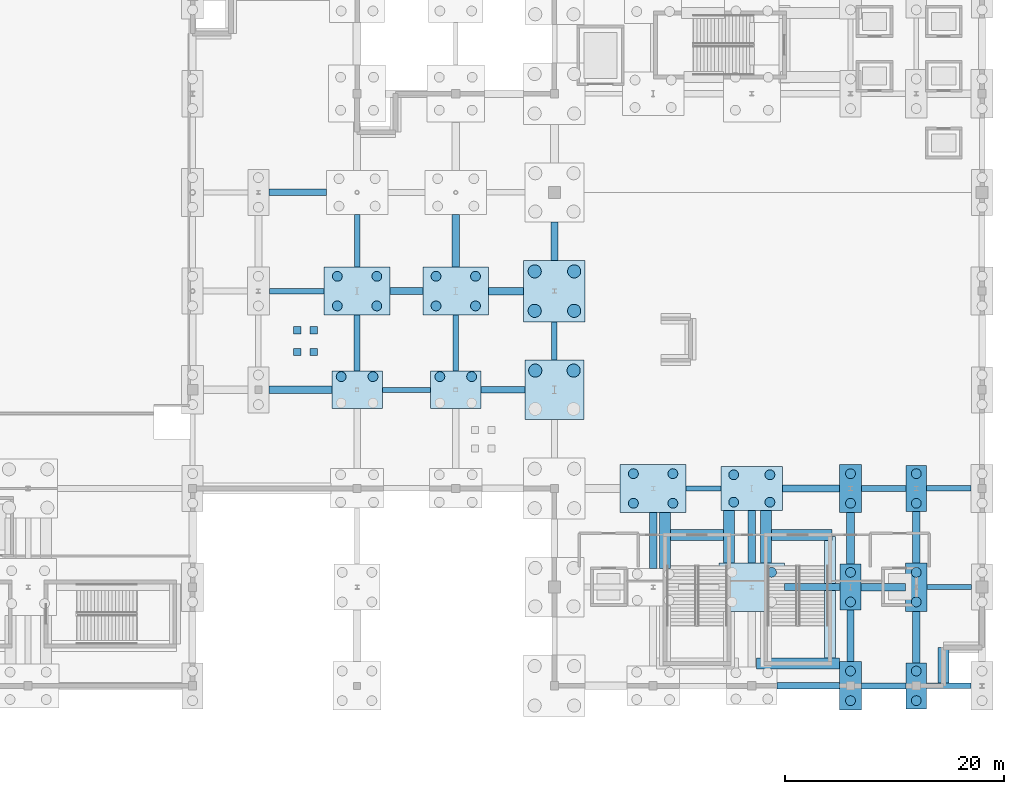
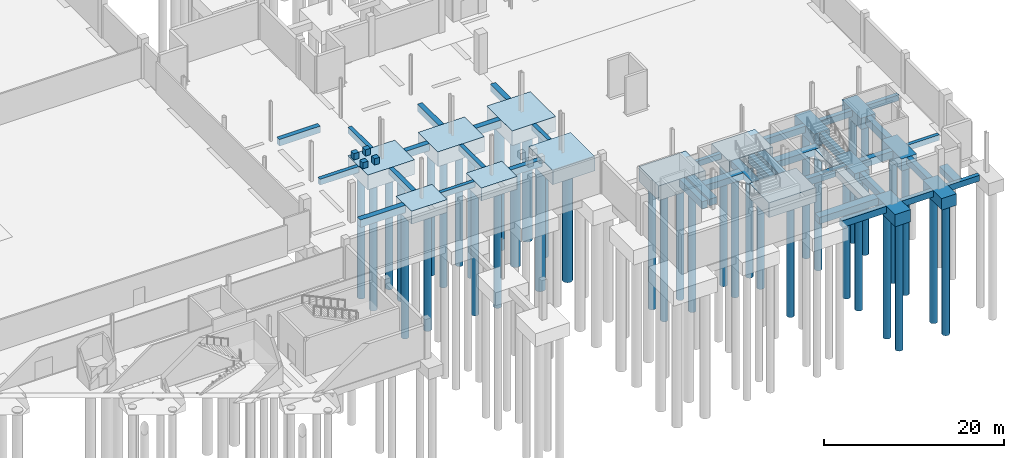
# One storey, part 6 of 58: 56 footings, 39 piles.
"""IFC4 building model written with IfcOpenShell, lengths in metres."""

from ifc_helpers import new_model, si_unit, direction, frame, origin, origin_2d, place, context, subcontext, project, spatial, rectangle, circle, extrude, material, material_profile, profile_set, type_object, element, save


model = new_model("IFC4")

# Units and contexts
model_context = context("Model", 3, precision=1e-05, world=origin(), true_north=direction((0.0, 1.0)))
body_context = subcontext(model_context, "Body", "Model", "MODEL_VIEW")
ifc_project = project(units=[si_unit("LENGTHUNIT", "METRE"), si_unit("AREAUNIT", "SQUARE_METRE"), si_unit("VOLUMEUNIT", "CUBIC_METRE"), si_unit("PLANEANGLEUNIT", "RADIAN"), si_unit("MASSUNIT", "GRAM", prefix="KILO")], contexts=[model_context])

# Site, building, storey
site_placement = place(None, origin())
site = spatial("IfcSite", under=ifc_project, at=site_placement, CompositionType="ELEMENT")
building_placement = place(site_placement, origin())
building = spatial("IfcBuilding", under=site, at=building_placement, Name="Qamarlyn Nura Convention Centre", CompositionType="ELEMENT")
storey_placement = place(building_placement, frame((0.0, 0.0, -5.39990234375)))
storey = spatial("IfcBuildingStorey", under=building, at=storey_placement, Name="B01", CompositionType="ELEMENT", Elevation=-5.39990234375)

# Footings
ifc_material = material(Name="Concrete C40/50", Category="concrete")
ifc_material_profile_1 = material_profile(ifc_material, rectangle(XDim=0.449951171875, YDim=0.75, at=origin_2d()), Name="RC GB 450x750")
ifc_profile_set_1 = profile_set([ifc_material_profile_1], Name="Concrete C40/50")
footing_type_1 = type_object("IfcFootingType", Name="GB-450X750", PredefinedType="FOOTING_BEAM", material=ifc_profile_set_1)
footing_1_placement = place(storey_placement, frame((187.0, 9.0, -0.375), z_axis=(1.0, 0.0, 0.0), x_axis=(0.0, 1.0, 0.0)))
element("IfcFooting", 1, at=footing_1_placement, inside=storey, type_object=footing_type_1, Name="Ground tie beam B 17-18", PredefinedType="FOOTING_BEAM", context=body_context, shape_type="SweptSolid", body=[
    extrude(rectangle(XDim=0.449951171875, YDim=0.75, at=origin_2d()), origin(), (0.0, 0.0, 1.0), 4.050048828125),
])
footing_2_placement = place(storey_placement, frame((165.0, 18.0, -0.375), z_axis=(1.0, 0.0, 0.0), x_axis=(0.0, 1.0, 0.0)))
element("IfcFooting", 2, at=footing_2_placement, inside=storey, type_object=footing_type_1, Name="Ground tie beam C 14-15", PredefinedType="FOOTING_BEAM", context=body_context, shape_type="SweptSolid", body=[
    extrude(rectangle(XDim=0.449951171875, YDim=0.75, at=origin_2d()), origin(), (0.0, 0.0, 1.0), 3.199951171875),
])
footing_3_placement = place(storey_placement, frame((137.300048828125, 27.0, -0.375), z_axis=(1.0, 0.0, 0.0), x_axis=(0.0, 1.0, 0.0)))
element("IfcFooting", 3, at=footing_3_placement, inside=storey, type_object=footing_type_1, Name="Ground tie beam D 11-12", PredefinedType="FOOTING_BEAM", context=body_context, shape_type="SweptSolid", body=[
    extrude(rectangle(XDim=0.449951171875, YDim=0.75, at=origin_2d()), origin(), (0.0, 0.0, 1.0), 4.39990234375),
])
ifc_material_profile_2 = material_profile(ifc_material, rectangle(XDim=0.5, YDim=0.800048828125, at=origin_2d()), Name="RC GB 500x800")
ifc_profile_set_2 = profile_set([ifc_material_profile_2], Name="Concrete C40/50")
footing_type_2 = type_object("IfcFootingType", Name="GB-500X800", PredefinedType="FOOTING_BEAM", material=ifc_profile_set_2)
for number, where, z_axis, x_axis, name in (
    (4, (186.949951171875, 0.0, -0.400146484375), (1.0, 0.0, 0.0), (0.0, 1.0, 0.0), "Ground tie beam A 17-18"),
    (5, (186.949951171875, 18.0, -0.400146484375), (1.0, 0.0, 0.0), (0.0, 1.0, 0.0), "Ground tie beam C 17-18"),
):
    element("IfcFooting", number, at=place(storey_placement, frame(where, z_axis=z_axis, x_axis=x_axis)), inside=storey, type_object=footing_type_2, Name=name, PredefinedType="FOOTING_BEAM", context=body_context, shape_type="SweptSolid", body=[
        extrude(rectangle(XDim=0.5, YDim=0.800048828125, at=origin_2d()), origin(), (0.0, 0.0, 1.0), 4.050048828125),
    ])
footing_4_placement = place(storey_placement, frame((127.0, 36.0, -0.400146484375), z_axis=(1.0, 0.0, 0.0), x_axis=(0.0, 1.0, 0.0)))
element("IfcFooting", 6, at=footing_4_placement, inside=storey, type_object=footing_type_2, Name="Ground tie beam E 10-11", PredefinedType="FOOTING_BEAM", context=body_context, shape_type="SweptSolid", body=[
    extrude(rectangle(XDim=0.5, YDim=0.800048828125, at=origin_2d()), origin(), (0.0, 0.0, 1.0), 5.0),
])
footing_5_placement = place(storey_placement, frame((135.0, 38.199951171875, -0.400146484375), z_axis=(0.0, 1.0, 0.0), x_axis=(-1.0, 0.0, 0.0)))
element("IfcFooting", 7, at=footing_5_placement, inside=storey, type_object=footing_type_2, Name="Ground tie beam 11 E-F", PredefinedType="FOOTING_BEAM", context=body_context, shape_type="SweptSolid", body=[
    extrude(rectangle(XDim=0.5, YDim=0.800048828125, at=origin_2d()), origin(), (0.0, 0.0, 1.0), 4.800048828125),
])
footing_6_placement = place(storey_placement, frame((144.0, 28.699951171875, -0.400146484375), z_axis=(0.0, 1.0, 0.0), x_axis=(-1.0, 0.0, 0.0)))
element("IfcFooting", 8, at=footing_6_placement, inside=storey, type_object=footing_type_2, Name="Ground tie beam 12 D-E", PredefinedType="FOOTING_BEAM", context=body_context, shape_type="SweptSolid", body=[
    extrude(rectangle(XDim=0.5, YDim=0.800048828125, at=origin_2d()), origin(), (0.0, 0.0, 1.0), 5.10009765625),
])
footing_7_placement = place(storey_placement, frame((153.0, 29.699951171875, -0.400146484375), z_axis=(0.0, 1.0, 0.0), x_axis=(-1.0, 0.0, 0.0)))
element("IfcFooting", 9, at=footing_7_placement, inside=storey, type_object=footing_type_2, Name="Ground tie beam 13 D-E", PredefinedType="FOOTING_BEAM", context=body_context, shape_type="SweptSolid", body=[
    extrude(rectangle(XDim=0.5, YDim=0.800048828125, at=origin_2d()), origin(), (0.0, 0.0, 1.0), 3.5),
])
ifc_material_profile_3 = material_profile(ifc_material, rectangle(XDim=0.550048828125, YDim=0.85009765625, at=origin_2d()), Name="RC GB 550x850")
ifc_profile_set_3 = profile_set([ifc_material_profile_3], Name="Concrete C40/50")
footing_type_3 = type_object("IfcFootingType", Name="GB-550X850", PredefinedType="FOOTING_BEAM", material=ifc_profile_set_3)
for number, where, z_axis, x_axis, name in (
    (10, (181.0, 0.0, -0.425048828125), (1.0, 0.0, 0.0), (0.0, 1.0, 0.0), "Ground tie beam A 16-17"),
    (11, (181.0, 18.0, -0.425048828125), (1.0, 0.0, 0.0), (0.0, 1.0, 0.0), "Ground tie beam C 16-17"),
):
    element("IfcFooting", number, at=place(storey_placement, frame(where, z_axis=z_axis, x_axis=x_axis)), inside=storey, type_object=footing_type_3, Name=name, PredefinedType="FOOTING_BEAM", context=body_context, shape_type="SweptSolid", body=[
        extrude(rectangle(XDim=0.550048828125, YDim=0.85009765625, at=origin_2d()), origin(), (0.0, 0.0, 1.0), 4.050048828125),
    ])
footing_8_placement = place(storey_placement, frame((135.0, 28.699951171875, -0.425048828125), z_axis=(0.0, 1.0, 0.0), x_axis=(-1.0, 0.0, 0.0)))
element("IfcFooting", 12, at=footing_8_placement, inside=storey, type_object=footing_type_3, Name="Ground tie beam 11 D-E", PredefinedType="FOOTING_BEAM", context=body_context, shape_type="SweptSolid", body=[
    extrude(rectangle(XDim=0.550048828125, YDim=0.85009765625, at=origin_2d()), origin(), (0.0, 0.0, 1.0), 5.10009765625),
])
ifc_material_profile_4 = material_profile(ifc_material, rectangle(XDim=0.60009765625, YDim=0.89990234375, at=origin_2d()), Name="RC GB 600x900")
ifc_profile_set_4 = profile_set([ifc_material_profile_4], Name="Concrete C40/50")
footing_type_4 = type_object("IfcFootingType", Name="GB-600X900", PredefinedType="FOOTING_BEAM", material=ifc_profile_set_4)
footing_9_placement = place(storey_placement, frame((173.300048828125, 0.0, -0.4501953125), z_axis=(1.0, 0.0, 0.0), x_axis=(0.0, 1.0, 0.0)))
element("IfcFooting", 13, at=footing_9_placement, inside=storey, type_object=footing_type_4, Name="Ground tie beam A 15-16", PredefinedType="FOOTING_BEAM", context=body_context, shape_type="SweptSolid", body=[
    extrude(rectangle(XDim=0.60009765625, YDim=0.89990234375, at=origin_2d()), origin(), (0.0, 0.0, 1.0), 5.699951171875),
])
footing_10_placement = place(storey_placement, frame((173.800048828125, 18.0, -0.4501953125), z_axis=(1.0, 0.0, 0.0), x_axis=(0.0, 1.0, 0.0)))
element("IfcFooting", 14, at=footing_10_placement, inside=storey, type_object=footing_type_4, Name="Ground tie beam C 15-16", PredefinedType="FOOTING_BEAM", context=body_context, shape_type="SweptSolid", body=[
    extrude(rectangle(XDim=0.60009765625, YDim=0.89990234375, at=origin_2d()), origin(), (0.0, 0.0, 1.0), 5.199951171875),
])
footing_11_placement = place(storey_placement, frame((146.300048828125, 27.0, -0.4501953125), z_axis=(1.0, 0.0, 0.0), x_axis=(0.0, 1.0, 0.0)))
element("IfcFooting", 15, at=footing_11_placement, inside=storey, type_object=footing_type_4, Name="Ground tie beam D 12-13", PredefinedType="FOOTING_BEAM", context=body_context, shape_type="SweptSolid", body=[
    extrude(rectangle(XDim=0.60009765625, YDim=0.89990234375, at=origin_2d()), origin(), (0.0, 0.0, 1.0), 4.0),
])
footing_12_placement = place(storey_placement, frame((126.949951171875, 45.0, -0.4501953125), z_axis=(1.0, 0.0, 0.0), x_axis=(0.0, 1.0, 0.0)))
element("IfcFooting", 16, at=footing_12_placement, inside=storey, type_object=footing_type_4, Name="Ground tie beam F 10-11", PredefinedType="FOOTING_BEAM", context=body_context, shape_type="SweptSolid", body=[
    extrude(rectangle(XDim=0.60009765625, YDim=0.89990234375, at=origin_2d()), origin(), (0.0, 0.0, 1.0), 5.25),
])
ifc_material_profile_5 = material_profile(ifc_material, rectangle(XDim=0.64990234375, YDim=0.949951171875, at=origin_2d()), Name="RC GB 650x950")
ifc_profile_set_5 = profile_set([ifc_material_profile_5], Name="Concrete C40/50")
footing_type_5 = type_object("IfcFootingType", Name="GB-650X950", PredefinedType="FOOTING_BEAM", material=ifc_profile_set_5)
footing_13_placement = place(storey_placement, frame((174.0, 9.0, -0.47509765625), z_axis=(1.0, 0.0, 0.0), x_axis=(0.0, 1.0, 0.0)))
element("IfcFooting", 17, at=footing_13_placement, inside=storey, type_object=footing_type_5, Name="Ground tie beam B 15-16", PredefinedType="FOOTING_BEAM", context=body_context, shape_type="SweptSolid", body=[
    extrude(rectangle(XDim=0.64990234375, YDim=0.949951171875, at=origin_2d()), origin(), (0.0, 0.0, 1.0), 5.050048828125),
])
footing_14_placement = place(storey_placement, frame((138.0, 36.0, -0.47509765625), z_axis=(1.0, 0.0, 0.0), x_axis=(0.0, 1.0, 0.0)))
element("IfcFooting", 18, at=footing_14_placement, inside=storey, type_object=footing_type_5, Name="Ground tie beam E 11-12", PredefinedType="FOOTING_BEAM", context=body_context, shape_type="SweptSolid", body=[
    extrude(rectangle(XDim=0.64990234375, YDim=0.949951171875, at=origin_2d()), origin(), (0.0, 0.0, 1.0), 3.0),
])
footing_15_placement = place(storey_placement, frame((144.0, 38.199951171875, -0.47509765625), z_axis=(0.0, 1.0, 0.0), x_axis=(-1.0, 0.0, 0.0)))
element("IfcFooting", 19, at=footing_15_placement, inside=storey, type_object=footing_type_5, Name="Ground tie beam 12 E-F", PredefinedType="FOOTING_BEAM", context=body_context, shape_type="SweptSolid", body=[
    extrude(rectangle(XDim=0.64990234375, YDim=0.949951171875, at=origin_2d()), origin(), (0.0, 0.0, 1.0), 4.800048828125),
])
footing_16_placement = place(storey_placement, frame((153.0, 38.800048828125, -0.47509765625), z_axis=(0.0, 1.0, 0.0), x_axis=(-1.0, 0.0, 0.0)))
element("IfcFooting", 20, at=footing_16_placement, inside=storey, type_object=footing_type_5, Name="Ground tie beam 13 E-F", PredefinedType="FOOTING_BEAM", context=body_context, shape_type="SweptSolid", body=[
    extrude(rectangle(XDim=0.64990234375, YDim=0.949951171875, at=origin_2d()), origin(), (0.0, 0.0, 1.0), 3.5),
])
for number, where, z_axis, x_axis, name in (
    (21, (180.0, 2.199951171875, -0.47509765625), (0.0, 1.0, 0.0), (-1.0, 0.0, 0.0), "Ground tie beam 16 A-B"),
    (22, (186.0, 2.10009765625, -0.47509765625), (0.0, 1.0, 0.0), (-1.0, 0.0, 0.0), "Ground tie beam 17 A-B"),
):
    element("IfcFooting", number, at=place(storey_placement, frame(where, z_axis=z_axis, x_axis=x_axis)), inside=storey, type_object=footing_type_5, Name=name, PredefinedType="FOOTING_BEAM", context=body_context, shape_type="SweptSolid", body=[
        extrude(rectangle(XDim=0.64990234375, YDim=0.949951171875, at=origin_2d()), origin(), (0.0, 0.0, 1.0), 4.699951171875),
    ])
ifc_material_profile_6 = material_profile(ifc_material, rectangle(XDim=0.699951171875, YDim=1.0, at=origin_2d()), Name="RC GB 700x1000")
ifc_profile_set_6 = profile_set([ifc_material_profile_6], Name="Concrete C40/50")
footing_type_6 = type_object("IfcFootingType", Name="GB-700X1000", PredefinedType="FOOTING_BEAM", material=ifc_profile_set_6)
footing_17_placement = place(storey_placement, frame((180.949951171875, 9.0, -0.5), z_axis=(1.0, 0.0, 0.0), x_axis=(0.0, 1.0, 0.0)))
element("IfcFooting", 23, at=footing_17_placement, inside=storey, type_object=footing_type_6, Name="Ground tie beam B 16-17", PredefinedType="FOOTING_BEAM", context=body_context, shape_type="SweptSolid", body=[
    extrude(rectangle(XDim=0.699951171875, YDim=1.0, at=origin_2d()), origin(), (0.0, 0.0, 1.0), 4.050048828125),
])
footing_18_placement = place(storey_placement, frame((126.949951171875, 27.0, -0.5), z_axis=(1.0, 0.0, 0.0), x_axis=(0.0, 1.0, 0.0)))
element("IfcFooting", 24, at=footing_18_placement, inside=storey, type_object=footing_type_6, Name="Ground tie beam D 10-11", PredefinedType="FOOTING_BEAM", context=body_context, shape_type="SweptSolid", body=[
    extrude(rectangle(XDim=0.699951171875, YDim=1.0, at=origin_2d()), origin(), (0.0, 0.0, 1.0), 5.75),
])
footing_19_placement = place(storey_placement, frame((147.0, 36.0, -0.5), z_axis=(1.0, 0.0, 0.0), x_axis=(0.0, 1.0, 0.0)))
element("IfcFooting", 25, at=footing_19_placement, inside=storey, type_object=footing_type_6, Name="Ground tie beam E 12-13", PredefinedType="FOOTING_BEAM", context=body_context, shape_type="SweptSolid", body=[
    extrude(rectangle(XDim=0.699951171875, YDim=1.0, at=origin_2d()), origin(), (0.0, 0.0, 1.0), 3.199951171875),
])
footing_20_placement = place(storey_placement, frame((162.0, 10.699951171875, -0.5), z_axis=(0.0, 1.0, 0.0), x_axis=(-1.0, 0.0, 0.0)))
element("IfcFooting", 26, at=footing_20_placement, inside=storey, type_object=footing_type_6, Name="Ground tie beam 14 B-C", PredefinedType="FOOTING_BEAM", context=body_context, shape_type="SweptSolid", body=[
    extrude(rectangle(XDim=0.699951171875, YDim=1.0, at=origin_2d()), origin(), (0.0, 0.0, 1.0), 5.10009765625),
])
footing_21_placement = place(storey_placement, frame((171.0, 11.199951171875, -0.5), z_axis=(0.0, 1.0, 0.0), x_axis=(-1.0, 0.0, 0.0)))
element("IfcFooting", 27, at=footing_21_placement, inside=storey, type_object=footing_type_6, Name="Ground tie beam 15 B-C", PredefinedType="FOOTING_BEAM", context=body_context, shape_type="SweptSolid", body=[
    extrude(rectangle(XDim=0.699951171875, YDim=1.0, at=origin_2d()), origin(), (0.0, 0.0, 1.0), 4.800048828125),
])
for number, where, z_axis, x_axis, name in (
    (28, (180.0, 11.10009765625, -0.5), (0.0, 1.0, 0.0), (-1.0, 0.0, 0.0), "Ground tie beam 16 B-C"),
    (29, (186.0, 11.199951171875, -0.5), (0.0, 1.0, 0.0), (-1.0, 0.0, 0.0), "Ground tie beam 17 B-C"),
):
    element("IfcFooting", number, at=place(storey_placement, frame(where, z_axis=z_axis, x_axis=x_axis)), inside=storey, type_object=footing_type_6, Name=name, PredefinedType="FOOTING_BEAM", context=body_context, shape_type="SweptSolid", body=[
        extrude(rectangle(XDim=0.699951171875, YDim=1.0, at=origin_2d()), origin(), (0.0, 0.0, 1.0), 4.699951171875),
    ])
footing_type_7 = type_object("IfcFootingType", Name="PC-CORE-56X40", PredefinedType="PILE_CAP", material=ifc_material)
footing_22_placement = place(storey_placement, frame((171.0, 18.0, -1.900146484375), z_axis=(0.0, 0.0, 1.0), x_axis=(1.0, 0.0, 0.0)))
element("IfcFooting", 30, at=footing_22_placement, inside=storey, type_object=footing_type_7, Name="Pile cap CAP-15-C", PredefinedType="PILE_CAP", context=body_context, shape_type="SweptSolid", body=[
    extrude(rectangle(XDim=5.60009765625, YDim=4.0, at=origin_2d()), origin(), (0.0, 0.0, 1.0), 1.89990234375),
])
footing_type_8 = type_object("IfcFootingType", Name="PC-CORE-60X44", PredefinedType="PILE_CAP", material=ifc_material)
for number, where, z_axis, x_axis, name in (
    (31, (135.0, 36.0, -2.0), (0.0, 0.0, 1.0), (1.0, 0.0, 0.0), "Pile cap CAP-11-E"),
    (32, (144.0, 36.0, -2.0), (0.0, 0.0, 1.0), (1.0, 0.0, 0.0), "Pile cap CAP-12-E"),
    (33, (162.0, 18.0, -2.0), (0.0, 0.0, 1.0), (1.0, 0.0, 0.0), "Pile cap CAP-14-C"),
    (34, (171.0, 9.0, -2.0), (0.0, 0.0, 1.0), (1.0, 0.0, 0.0), "Pile cap CAP-15-B"),
):
    element("IfcFooting", number, at=place(storey_placement, frame(where, z_axis=z_axis, x_axis=x_axis)), inside=storey, type_object=footing_type_8, Name=name, PredefinedType="PILE_CAP", context=body_context, shape_type="SweptSolid", body=[
        extrude(rectangle(XDim=6.0, YDim=4.39990234375, at=origin_2d()), origin(), (0.0, 0.0, 1.0), 2.0),
    ])
footing_type_9 = type_object("IfcFootingType", Name="PC-MEGA-54", PredefinedType="PILE_CAP", material=ifc_material)
footing_23_placement = place(storey_placement, frame((153.0, 27.0, -1.9501953125), z_axis=(0.0, 0.0, 1.0), x_axis=(1.0, 0.0, 0.0)))
element("IfcFooting", 35, at=footing_23_placement, inside=storey, type_object=footing_type_9, Name="Pile cap CAP-13-D", PredefinedType="PILE_CAP", context=body_context, shape_type="SweptSolid", body=[
    extrude(rectangle(XDim=5.39990234375, YDim=5.39990234375, at=origin_2d()), origin(), (0.0, 0.0, 1.0), 1.949951171875),
])
footing_type_10 = type_object("IfcFootingType", Name="PC-MEGA-56", PredefinedType="PILE_CAP", material=ifc_material)
footing_24_placement = place(storey_placement, frame((153.0, 36.0, -2.0), z_axis=(0.0, 0.0, 1.0), x_axis=(1.0, 0.0, 0.0)))
element("IfcFooting", 36, at=footing_24_placement, inside=storey, type_object=footing_type_10, Name="Pile cap CAP-13-E", PredefinedType="PILE_CAP", context=body_context, shape_type="SweptSolid", body=[
    extrude(rectangle(XDim=5.60009765625, YDim=5.60009765625, at=origin_2d()), origin(), (0.0, 0.0, 1.0), 2.0),
])
footing_type_11 = type_object("IfcFootingType", Name="PC-PAIR-19X42", PredefinedType="PILE_CAP", material=ifc_material)
for number, where, z_axis, x_axis, name in (
    (37, (180.0, 9.0, -1.55029296875), (0.0, 0.0, 1.0), (1.0, 0.0, 0.0), "Pile cap CAP-16-B"),
    (38, (186.0, 0.0, -1.55029296875), (0.0, 0.0, 1.0), (1.0, 0.0, 0.0), "Pile cap CAP-17-A"),
    (39, (186.0, 18.0, -1.55029296875), (0.0, 0.0, 1.0), (1.0, 0.0, 0.0), "Pile cap CAP-17-C"),
):
    element("IfcFooting", number, at=place(storey_placement, frame(where, z_axis=z_axis, x_axis=x_axis)), inside=storey, type_object=footing_type_11, Name=name, PredefinedType="PILE_CAP", context=body_context, shape_type="SweptSolid", body=[
        extrude(rectangle(XDim=1.89990234375, YDim=4.199951171875, at=origin_2d()), origin(), (0.0, 0.0, 1.0), 1.550048828125),
    ])
footing_type_12 = type_object("IfcFootingType", Name="PC-PAIR-20X44", PredefinedType="PILE_CAP", material=ifc_material)
for number, where, z_axis, x_axis, name in (
    (40, (180.0, 0.0, -1.650146484375), (0.0, 0.0, 1.0), (1.0, 0.0, 0.0), "Pile cap CAP-16-A"),
    (41, (180.0, 18.0, -1.650146484375), (0.0, 0.0, 1.0), (1.0, 0.0, 0.0), "Pile cap CAP-16-C"),
    (42, (186.0, 9.0, -1.650146484375), (0.0, 0.0, 1.0), (1.0, 0.0, 0.0), "Pile cap CAP-17-B"),
):
    element("IfcFooting", number, at=place(storey_placement, frame(where, z_axis=z_axis, x_axis=x_axis)), inside=storey, type_object=footing_type_12, Name=name, PredefinedType="PILE_CAP", context=body_context, shape_type="SweptSolid", body=[
        extrude(rectangle(XDim=2.0, YDim=4.39990234375, at=origin_2d()), origin(), (0.0, 0.0, 1.0), 1.64990234375),
    ])
footing_type_13 = type_object("IfcFootingType", Name="PC-RECT-46X34", PredefinedType="PILE_CAP", material=ifc_material)
for number, where, z_axis, x_axis, name in (
    (43, (135.0, 27.0, -1.75), (0.0, 0.0, 1.0), (1.0, 0.0, 0.0), "Pile cap CAP-11-D"),
    (44, (144.0, 27.0, -1.75), (0.0, 0.0, 1.0), (1.0, 0.0, 0.0), "Pile cap CAP-12-D"),
):
    element("IfcFooting", number, at=place(storey_placement, frame(where, z_axis=z_axis, x_axis=x_axis)), inside=storey, type_object=footing_type_13, Name=name, PredefinedType="PILE_CAP", context=body_context, shape_type="SweptSolid", body=[
        extrude(rectangle(XDim=4.60009765625, YDim=3.39990234375, at=origin_2d()), origin(), (0.0, 0.0, 1.0), 1.75),
    ])
footing_type_14 = type_object("IfcFootingType", Name="PF-RAMP-070", PredefinedType="PAD_FOOTING", material=ifc_material)
for number, where, z_axis, x_axis, name in (
    (45, (129.550048828125, 30.429931640625, 4.0498046875), (0.0, 0.0, 1.0), (1.0, 0.0, 0.0), "Entrance ramp corner pad footing PR-02-1"),
    (46, (131.050048828125, 30.429931640625, 4.0498046875), (0.0, 0.0, 1.0), (1.0, 0.0, 0.0), "Entrance ramp corner pad footing PR-02-2"),
    (47, (129.550048828125, 32.429931640625, 4.0498046875), (0.0, 0.0, 1.0), (1.0, 0.0, 0.0), "Entrance ramp corner pad footing PR-02-3"),
    (48, (131.050048828125, 32.429931640625, 4.0498046875), (0.0, 0.0, 1.0), (1.0, 0.0, 0.0), "Entrance ramp corner pad footing PR-02-4"),
):
    element("IfcFooting", number, at=place(storey_placement, frame(where, z_axis=z_axis, x_axis=x_axis)), inside=storey, type_object=footing_type_14, Name=name, PredefinedType="PAD_FOOTING", context=body_context, shape_type="SweptSolid", body=[
        extrude(rectangle(XDim=0.64990234375, YDim=0.64990234375, at=origin_2d()), origin(), (0.0, 0.0, 1.0), 0.85009765625),
    ])

# Piles
ifc_material_profile_7 = material_profile(ifc_material, circle(Radius=0.60009765625, at=origin_2d()), Name="BORED PILE 1200")
ifc_profile_set_7 = profile_set([ifc_material_profile_7], Name="Concrete C40/50")
pile_type_1 = type_object("IfcPileType", Name="PILE-1200", PredefinedType="BORED", material=ifc_profile_set_7)
for number, where, z_axis, x_axis, name in (
    (49, (151.25, 28.75, -1.800048828125), (0.0, 0.0, -1.0), (1.0, 0.0, 0.0), "Bored pile PILE-13-D-3"),
    (50, (154.75, 28.75, -1.800048828125), (0.0, 0.0, -1.0), (1.0, 0.0, 0.0), "Bored pile PILE-13-D-4"),
):
    element("IfcPile", number, at=place(storey_placement, frame(where, z_axis=z_axis, x_axis=x_axis)), inside=storey, type_object=pile_type_1, Name=name, PredefinedType="BORED", context=body_context, shape_type="SweptSolid", body=[
        extrude(circle(Radius=0.60009765625, at=origin_2d()), origin(), (0.0, 0.0, 1.0), 17.300048828125),
    ])
for number, where, z_axis, x_axis, name in (
    (51, (151.199951171875, 34.199951171875, -1.85009765625), (0.0, 0.0, -1.0), (1.0, 0.0, 0.0), "Bored pile PILE-13-E-1"),
    (52, (154.800048828125, 34.199951171875, -1.85009765625), (0.0, 0.0, -1.0), (1.0, 0.0, 0.0), "Bored pile PILE-13-E-2"),
    (53, (151.199951171875, 37.800048828125, -1.85009765625), (0.0, 0.0, -1.0), (1.0, 0.0, 0.0), "Bored pile PILE-13-E-3"),
    (54, (154.800048828125, 37.800048828125, -1.85009765625), (0.0, 0.0, -1.0), (1.0, 0.0, 0.0), "Bored pile PILE-13-E-4"),
):
    element("IfcPile", number, at=place(storey_placement, frame(where, z_axis=z_axis, x_axis=x_axis)), inside=storey, type_object=pile_type_1, Name=name, PredefinedType="BORED", context=body_context, shape_type="SweptSolid", body=[
        extrude(circle(Radius=0.60009765625, at=origin_2d()), origin(), (0.0, 0.0, 1.0), 17.25),
    ])
ifc_material_profile_8 = material_profile(ifc_material, circle(Radius=0.449951171875, at=origin_2d()), Name="BORED PILE 900")
ifc_profile_set_8 = profile_set([ifc_material_profile_8], Name="Concrete C40/50")
pile_type_2 = type_object("IfcPileType", Name="PILE-900", PredefinedType="BORED", material=ifc_profile_set_8)
for number, where, z_axis, x_axis, name in (
    (55, (133.550048828125, 28.199951171875, -1.60009765625), (0.0, 0.0, -1.0), (1.0, 0.0, 0.0), "Bored pile PILE-11-D-3"),
    (56, (136.449951171875, 28.199951171875, -1.60009765625), (0.0, 0.0, -1.0), (1.0, 0.0, 0.0), "Bored pile PILE-11-D-4"),
):
    element("IfcPile", number, at=place(storey_placement, frame(where, z_axis=z_axis, x_axis=x_axis)), inside=storey, type_object=pile_type_2, Name=name, PredefinedType="BORED", context=body_context, shape_type="SweptSolid", body=[
        extrude(circle(Radius=0.449951171875, at=origin_2d()), origin(), (0.0, 0.0, 1.0), 17.5),
    ])
for number, where, z_axis, x_axis, name in (
    (57, (133.199951171875, 34.64990234375, -1.85009765625), (0.0, 0.0, -1.0), (1.0, 0.0, 0.0), "Bored pile PILE-11-E-1"),
    (58, (136.800048828125, 34.64990234375, -1.85009765625), (0.0, 0.0, -1.0), (1.0, 0.0, 0.0), "Bored pile PILE-11-E-2"),
    (59, (133.199951171875, 37.35009765625, -1.85009765625), (0.0, 0.0, -1.0), (1.0, 0.0, 0.0), "Bored pile PILE-11-E-3"),
    (60, (136.800048828125, 37.35009765625, -1.85009765625), (0.0, 0.0, -1.0), (1.0, 0.0, 0.0), "Bored pile PILE-11-E-4"),
):
    element("IfcPile", number, at=place(storey_placement, frame(where, z_axis=z_axis, x_axis=x_axis)), inside=storey, type_object=pile_type_2, Name=name, PredefinedType="BORED", context=body_context, shape_type="SweptSolid", body=[
        extrude(circle(Radius=0.449951171875, at=origin_2d()), origin(), (0.0, 0.0, 1.0), 17.25),
    ])
for number, where, z_axis, x_axis, name in (
    (61, (142.550048828125, 28.199951171875, -1.60009765625), (0.0, 0.0, -1.0), (1.0, 0.0, 0.0), "Bored pile PILE-12-D-3"),
    (62, (145.449951171875, 28.199951171875, -1.60009765625), (0.0, 0.0, -1.0), (1.0, 0.0, 0.0), "Bored pile PILE-12-D-4"),
):
    element("IfcPile", number, at=place(storey_placement, frame(where, z_axis=z_axis, x_axis=x_axis)), inside=storey, type_object=pile_type_2, Name=name, PredefinedType="BORED", context=body_context, shape_type="SweptSolid", body=[
        extrude(circle(Radius=0.449951171875, at=origin_2d()), origin(), (0.0, 0.0, 1.0), 17.5),
    ])
for number, where, z_axis, x_axis, name in (
    (63, (142.199951171875, 34.64990234375, -1.85009765625), (0.0, 0.0, -1.0), (1.0, 0.0, 0.0), "Bored pile PILE-12-E-1"),
    (64, (145.800048828125, 34.64990234375, -1.85009765625), (0.0, 0.0, -1.0), (1.0, 0.0, 0.0), "Bored pile PILE-12-E-2"),
    (65, (142.199951171875, 37.35009765625, -1.85009765625), (0.0, 0.0, -1.0), (1.0, 0.0, 0.0), "Bored pile PILE-12-E-3"),
    (66, (145.800048828125, 37.35009765625, -1.85009765625), (0.0, 0.0, -1.0), (1.0, 0.0, 0.0), "Bored pile PILE-12-E-4"),
    (67, (160.199951171875, 16.64990234375, -1.85009765625), (0.0, 0.0, -1.0), (1.0, 0.0, 0.0), "Bored pile PILE-14-C-1"),
    (68, (163.800048828125, 16.64990234375, -1.85009765625), (0.0, 0.0, -1.0), (1.0, 0.0, 0.0), "Bored pile PILE-14-C-2"),
    (69, (160.199951171875, 19.35009765625, -1.85009765625), (0.0, 0.0, -1.0), (1.0, 0.0, 0.0), "Bored pile PILE-14-C-3"),
    (70, (163.800048828125, 19.35009765625, -1.85009765625), (0.0, 0.0, -1.0), (1.0, 0.0, 0.0), "Bored pile PILE-14-C-4"),
    (71, (172.800048828125, 10.35009765625, -1.85009765625), (0.0, 0.0, -1.0), (1.0, 0.0, 0.0), "Bored pile PILE-15-B-4"),
):
    element("IfcPile", number, at=place(storey_placement, frame(where, z_axis=z_axis, x_axis=x_axis)), inside=storey, type_object=pile_type_2, Name=name, PredefinedType="BORED", context=body_context, shape_type="SweptSolid", body=[
        extrude(circle(Radius=0.449951171875, at=origin_2d()), origin(), (0.0, 0.0, 1.0), 17.25),
    ])
for number, where, z_axis, x_axis, name in (
    (72, (169.35009765625, 16.75, -1.75), (0.0, 0.0, -1.0), (1.0, 0.0, 0.0), "Bored pile PILE-15-C-1"),
    (73, (172.64990234375, 16.75, -1.75), (0.0, 0.0, -1.0), (1.0, 0.0, 0.0), "Bored pile PILE-15-C-2"),
    (74, (169.35009765625, 19.25, -1.75), (0.0, 0.0, -1.0), (1.0, 0.0, 0.0), "Bored pile PILE-15-C-3"),
    (75, (172.64990234375, 19.25, -1.75), (0.0, 0.0, -1.0), (1.0, 0.0, 0.0), "Bored pile PILE-15-C-4"),
):
    element("IfcPile", number, at=place(storey_placement, frame(where, z_axis=z_axis, x_axis=x_axis)), inside=storey, type_object=pile_type_2, Name=name, PredefinedType="BORED", context=body_context, shape_type="SweptSolid", body=[
        extrude(circle(Radius=0.449951171875, at=origin_2d()), origin(), (0.0, 0.0, 1.0), 17.35009765625),
    ])
for number, where, z_axis, x_axis, name in (
    (76, (180.0, -1.35009765625, -1.5), (0.0, 0.0, -1.0), (1.0, 0.0, 0.0), "Bored pile PILE-16-A-1"),
    (77, (180.0, 1.35009765625, -1.5), (0.0, 0.0, -1.0), (1.0, 0.0, 0.0), "Bored pile PILE-16-A-2"),
):
    element("IfcPile", number, at=place(storey_placement, frame(where, z_axis=z_axis, x_axis=x_axis)), inside=storey, type_object=pile_type_2, Name=name, PredefinedType="BORED", context=body_context, shape_type="SweptSolid", body=[
        extrude(circle(Radius=0.449951171875, at=origin_2d()), origin(), (0.0, 0.0, 1.0), 17.60009765625),
    ])
for number, where, z_axis, x_axis, name in (
    (78, (180.0, 7.64990234375, -1.400146484375), (0.0, 0.0, -1.0), (1.0, 0.0, 0.0), "Bored pile PILE-16-B-1"),
    (79, (180.0, 10.35009765625, -1.400146484375), (0.0, 0.0, -1.0), (1.0, 0.0, 0.0), "Bored pile PILE-16-B-2"),
):
    element("IfcPile", number, at=place(storey_placement, frame(where, z_axis=z_axis, x_axis=x_axis)), inside=storey, type_object=pile_type_2, Name=name, PredefinedType="BORED", context=body_context, shape_type="SweptSolid", body=[
        extrude(circle(Radius=0.449951171875, at=origin_2d()), origin(), (0.0, 0.0, 1.0), 17.699951171875),
    ])
for number, where, z_axis, x_axis, name in (
    (80, (180.0, 16.64990234375, -1.5), (0.0, 0.0, -1.0), (1.0, 0.0, 0.0), "Bored pile PILE-16-C-1"),
    (81, (180.0, 19.35009765625, -1.5), (0.0, 0.0, -1.0), (1.0, 0.0, 0.0), "Bored pile PILE-16-C-2"),
):
    element("IfcPile", number, at=place(storey_placement, frame(where, z_axis=z_axis, x_axis=x_axis)), inside=storey, type_object=pile_type_2, Name=name, PredefinedType="BORED", context=body_context, shape_type="SweptSolid", body=[
        extrude(circle(Radius=0.449951171875, at=origin_2d()), origin(), (0.0, 0.0, 1.0), 17.60009765625),
    ])
for number, where, z_axis, x_axis, name in (
    (82, (186.0, -1.35009765625, -1.400146484375), (0.0, 0.0, -1.0), (1.0, 0.0, 0.0), "Bored pile PILE-17-A-1"),
    (83, (186.0, 1.35009765625, -1.400146484375), (0.0, 0.0, -1.0), (1.0, 0.0, 0.0), "Bored pile PILE-17-A-2"),
):
    element("IfcPile", number, at=place(storey_placement, frame(where, z_axis=z_axis, x_axis=x_axis)), inside=storey, type_object=pile_type_2, Name=name, PredefinedType="BORED", context=body_context, shape_type="SweptSolid", body=[
        extrude(circle(Radius=0.449951171875, at=origin_2d()), origin(), (0.0, 0.0, 1.0), 17.699951171875),
    ])
for number, where, z_axis, x_axis, name in (
    (84, (186.0, 7.64990234375, -1.5), (0.0, 0.0, -1.0), (1.0, 0.0, 0.0), "Bored pile PILE-17-B-1"),
    (85, (186.0, 10.35009765625, -1.5), (0.0, 0.0, -1.0), (1.0, 0.0, 0.0), "Bored pile PILE-17-B-2"),
):
    element("IfcPile", number, at=place(storey_placement, frame(where, z_axis=z_axis, x_axis=x_axis)), inside=storey, type_object=pile_type_2, Name=name, PredefinedType="BORED", context=body_context, shape_type="SweptSolid", body=[
        extrude(circle(Radius=0.449951171875, at=origin_2d()), origin(), (0.0, 0.0, 1.0), 17.60009765625),
    ])
for number, where, z_axis, x_axis, name in (
    (86, (186.0, 16.64990234375, -1.400146484375), (0.0, 0.0, -1.0), (1.0, 0.0, 0.0), "Bored pile PILE-17-C-1"),
    (87, (186.0, 19.35009765625, -1.400146484375), (0.0, 0.0, -1.0), (1.0, 0.0, 0.0), "Bored pile PILE-17-C-2"),
):
    element("IfcPile", number, at=place(storey_placement, frame(where, z_axis=z_axis, x_axis=x_axis)), inside=storey, type_object=pile_type_2, Name=name, PredefinedType="BORED", context=body_context, shape_type="SweptSolid", body=[
        extrude(circle(Radius=0.449951171875, at=origin_2d()), origin(), (0.0, 0.0, 1.0), 17.699951171875),
    ])

# Footings
ifc_material_profile_9 = material_profile(ifc_material, rectangle(XDim=1.0, YDim=0.89990234375, at=origin_2d()), Name="RC STRIP 1000x900")
ifc_profile_set_9 = profile_set([ifc_material_profile_9], Name="Concrete C40/50")
footing_type_15 = type_object("IfcFootingType", Name="SF-WALL-1000", PredefinedType="STRIP_FOOTING", material=ifc_profile_set_9)
footing_25_placement = place(storey_placement, frame((188.5, 3.5, -0.4501953125), z_axis=(0.0, -1.0, 0.0), x_axis=(1.0, 0.0, 0.0)))
element("IfcFooting", 88, at=footing_25_placement, inside=storey, type_object=footing_type_15, Name="Strip footing WRET-B01-79-1", PredefinedType="STRIP_FOOTING", context=body_context, shape_type="SweptSolid", body=[
    extrude(rectangle(XDim=1.0, YDim=0.89990234375, at=origin_2d()), origin(), (0.0, 0.0, 1.0), 3.5),
])
footing_26_placement = place(storey_placement, frame((169.10009765625, 13.77490234375, -0.4501953125), z_axis=(-1.0, 0.0, 0.0), x_axis=(0.0, -1.0, 0.0)))
element("IfcFooting", 89, at=footing_26_placement, inside=storey, type_object=footing_type_15, Name="Strip footing WST-ST-09-B01-N-1", PredefinedType="STRIP_FOOTING", context=body_context, shape_type="SweptSolid", body=[
    extrude(rectangle(XDim=1.0, YDim=0.89990234375, at=origin_2d()), origin(), (0.0, 0.0, 1.0), 6.2001953125),
])
footing_27_placement = place(storey_placement, frame((163.074951171875, 15.800048828125, -0.4501953125), z_axis=(0.0, -1.0, 0.0), x_axis=(1.0, 0.0, 0.0)))
element("IfcFooting", 90, at=footing_27_placement, inside=storey, type_object=footing_type_15, Name="Strip footing WST-ST-09-B01-W-1", PredefinedType="STRIP_FOOTING", context=body_context, shape_type="SweptSolid", body=[
    extrude(rectangle(XDim=1.0, YDim=0.89990234375, at=origin_2d()), origin(), (0.0, 0.0, 1.0), 5.10009765625),
])
footing_28_placement = place(storey_placement, frame((168.925048828125, 11.199951171875, -0.4501953125), z_axis=(0.0, 1.0, 0.0), x_axis=(-1.0, 0.0, 0.0)))
element("IfcFooting", 91, at=footing_28_placement, inside=storey, type_object=footing_type_15, Name="Strip footing WST-ST-09-B01-E-2", PredefinedType="STRIP_FOOTING", context=body_context, shape_type="SweptSolid", body=[
    extrude(rectangle(XDim=1.0, YDim=0.89990234375, at=origin_2d()), origin(), (0.0, 0.0, 1.0), 4.800048828125),
])
footing_29_placement = place(storey_placement, frame((171.425048828125, 2.02490234375, -0.4501953125), z_axis=(1.0, 0.0, 0.0), x_axis=(0.0, 1.0, 0.0)))
element("IfcFooting", 92, at=footing_29_placement, inside=storey, type_object=footing_type_15, Name="Strip footing WST-ST-10-B01-S-1", PredefinedType="STRIP_FOOTING", context=body_context, shape_type="SweptSolid", body=[
    extrude(rectangle(XDim=1.0, YDim=0.89990234375, at=origin_2d()), origin(), (0.0, 0.0, 1.0), 7.574951171875),
])
footing_30_placement = place(storey_placement, frame((178.300048828125, 13.77490234375, -0.4501953125), z_axis=(-1.0, 0.0, 0.0), x_axis=(0.0, -1.0, 0.0)))
element("IfcFooting", 93, at=footing_30_placement, inside=storey, type_object=footing_type_15, Name="Strip footing WST-ST-10-B01-N-1", PredefinedType="STRIP_FOOTING", context=body_context, shape_type="SweptSolid", body=[
    extrude(rectangle(XDim=1.0, YDim=0.89990234375, at=origin_2d()), origin(), (0.0, 0.0, 1.0), 6.199951171875),
])
footing_31_placement = place(storey_placement, frame((172.27490234375, 16.0, -0.4501953125), z_axis=(0.0, -1.0, 0.0), x_axis=(1.0, 0.0, 0.0)))
element("IfcFooting", 94, at=footing_31_placement, inside=storey, type_object=footing_type_15, Name="Strip footing WST-ST-10-B01-W-1", PredefinedType="STRIP_FOOTING", context=body_context, shape_type="SweptSolid", body=[
    extrude(rectangle(XDim=1.0, YDim=0.89990234375, at=origin_2d()), origin(), (0.0, 0.0, 1.0), 4.800048828125),
])
footing_32_placement = place(storey_placement, frame((178.125, 2.199951171875, -0.4501953125), z_axis=(0.0, 1.0, 0.0), x_axis=(-1.0, 0.0, 0.0)))
element("IfcFooting", 95, at=footing_32_placement, inside=storey, type_object=footing_type_15, Name="Strip footing WST-ST-10-B01-E-1", PredefinedType="STRIP_FOOTING", context=body_context, shape_type="SweptSolid", body=[
    extrude(rectangle(XDim=1.0, YDim=0.89990234375, at=origin_2d()), origin(), (0.0, 0.0, 1.0), 11.400146484375),
])

save(model, "model.ifc")
